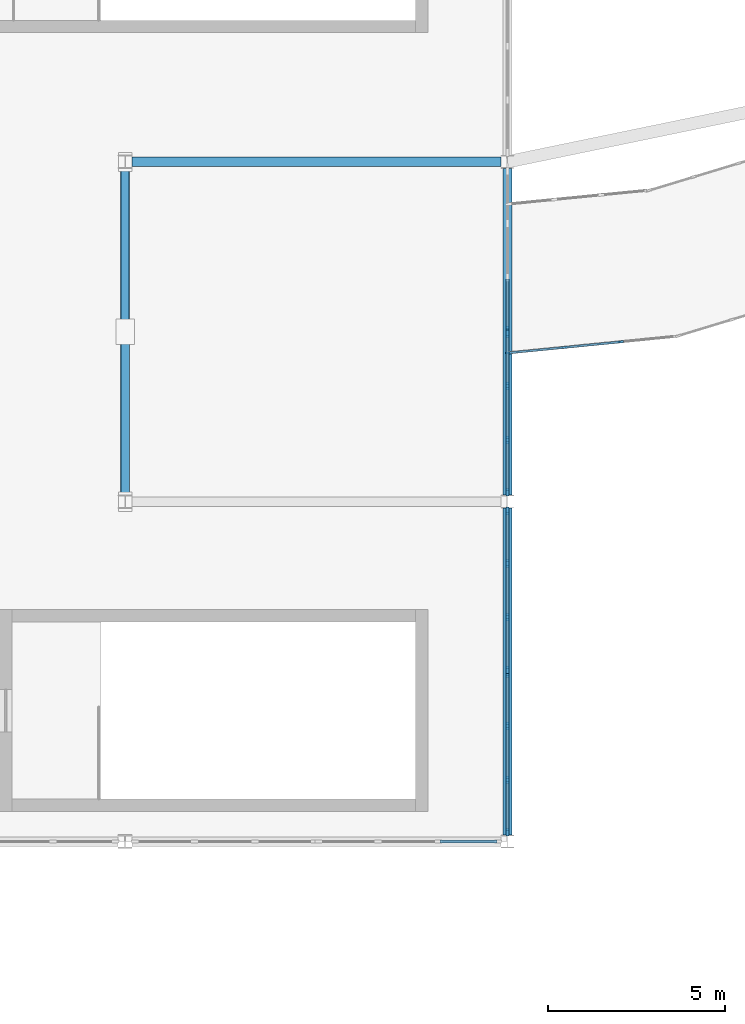
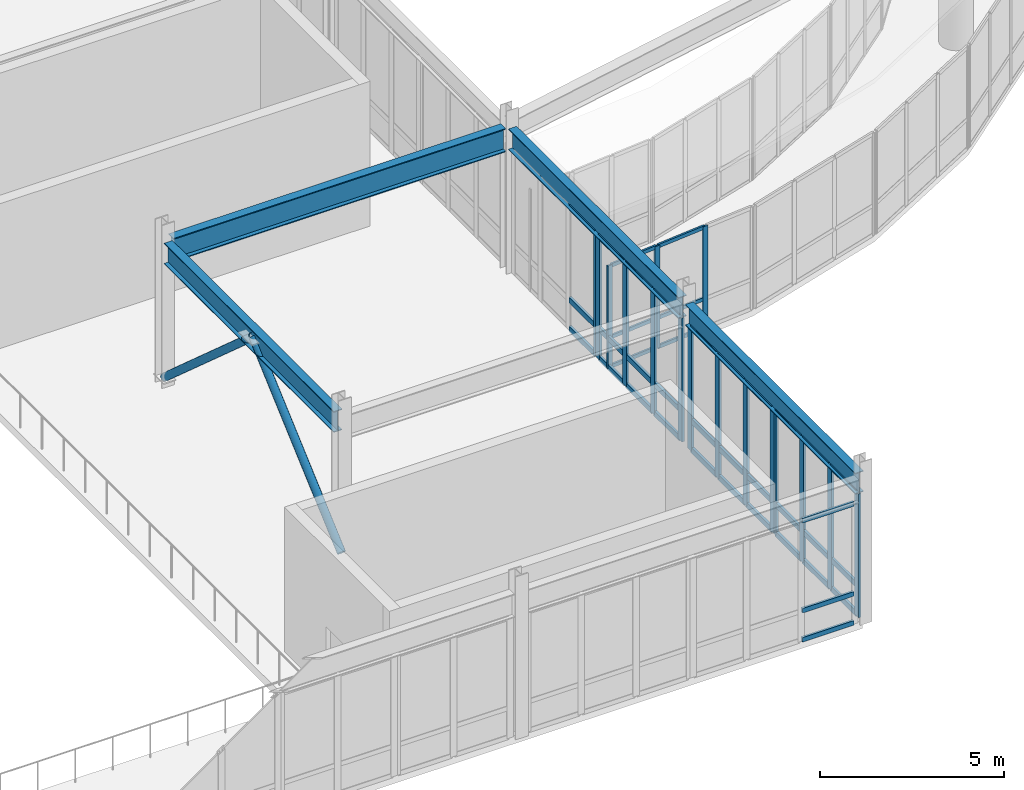
# One storey, part 16 of 68: 57 members, 4 beams, 6 elements without a shape of their own.
"""IFC4 building model written with IfcOpenShell, lengths in metres."""

import ifcopenshell
import ifcopenshell.guid

model = None  # the IFC model being written
_history = None  # IfcOwnerHistory: only IFC2X3 demands one
_inside = {}  # id of a spatial element -> (the spatial element, [elements in it])
_under = {}  # id of a project, library or spatial element -> (it, [spatial elements below it])
_declared = {}  # id of a project -> (the project, [libraries it declares])
_typed = {}  # id of a type object -> (the type object, [elements of that type])
_made_of = {}  # id of a material, layer set ... -> (it, [elements and type objects made of it])


def new_model(schema):
    """Start an empty IFC model of exactly this schema.

    Asked for "IFC4X3", IfcOpenShell would pick the latest addendum, in which some entities
    have other attributes; the version numbers below select the first issue.
    IFC2X3 requires an IfcOwnerHistory on every rooted entity: one is made here for all.
    """
    global model, _history
    if schema == "IFC4X3":
        model = ifcopenshell.file(schema_version=(4, 3, 0, 0))
    else:
        model = ifcopenshell.file(schema=schema)
    _inside.clear()
    _under.clear()
    _declared.clear()
    _typed.clear()
    _made_of.clear()
    _history = None
    if model.schema == "IFC2X3":
        org = make("IfcOrganization", Name="unknown")
        user = make(
            "IfcPersonAndOrganization",
            ThePerson=make("IfcPerson", FamilyName="unknown"),
            TheOrganization=org,
        )
        app = make(
            "IfcApplication",
            ApplicationDeveloper=org,
            Version="unknown",
            ApplicationFullName="unknown",
            ApplicationIdentifier="unknown",
        )
        _history = make(
            "IfcOwnerHistory",
            OwningUser=user,
            OwningApplication=app,
            ChangeAction="ADDED",
            CreationDate=0,
        )
    return model


def make(cls, **values):
    """One entity of the class cls with the attributes given. An attribute that is None is left unset."""
    return model.create_entity(
        cls, **{name: value for name, value in values.items() if value is not None}
    )


def rooted(cls, **values):
    """An entity with a GlobalId (a new one), such as an element, a storey or a relation."""
    return make(cls, GlobalId=ifcopenshell.guid.new(), OwnerHistory=_history, **values)


def si_unit(unit_type, name, prefix=None):
    """IfcSIUnit, for example si_unit("LENGTHUNIT", "METRE", prefix="MILLI")."""
    return make("IfcSIUnit", UnitType=unit_type, Prefix=prefix, Name=name)


def assignment(units):
    """IfcUnitAssignment: the units of a project."""
    return None if units is None else make("IfcUnitAssignment", Units=units)


def point(xyz):
    """IfcCartesianPoint."""
    return None if xyz is None else make("IfcCartesianPoint", Coordinates=xyz)


def direction(xyz):
    """IfcDirection."""
    return None if xyz is None else make("IfcDirection", DirectionRatios=xyz)


def frame(location, z_axis=None, x_axis=None):
    """IfcAxis2Placement3D, a coordinate frame: its origin and axes. An axis left out is left unset."""
    return make(
        "IfcAxis2Placement3D",
        Location=point(location),
        Axis=direction(z_axis),
        RefDirection=direction(x_axis),
    )


def frame_2d(location, x_axis=None):
    """IfcAxis2Placement2D, a coordinate frame in the plane: its origin and x axis."""
    return make(
        "IfcAxis2Placement2D", Location=point(location), RefDirection=direction(x_axis)
    )


def origin():
    """The frame at (0, 0, 0) with its axes left unset."""
    return frame((0.0, 0.0, 0.0))


def origin_2d():
    """The frame at (0, 0) in the plane with its x axis left unset."""
    return frame_2d((0.0, 0.0))


def place(relative_to, where):
    """IfcLocalPlacement: puts the frame where relative to a parent placement (None: the world)."""
    return make(
        "IfcLocalPlacement", PlacementRelTo=relative_to, RelativePlacement=where
    )


def context(
    kind, dimensions, precision=None, world=None, true_north=None, identifier=None
):
    """IfcGeometricRepresentationContext, for example the 3D "Model" context."""
    return make(
        "IfcGeometricRepresentationContext",
        ContextIdentifier=identifier,
        ContextType=kind,
        CoordinateSpaceDimension=dimensions,
        Precision=precision,
        WorldCoordinateSystem=world,
        TrueNorth=true_north,
    )


def subcontext(parent, identifier, kind, view, scale=None):
    """IfcGeometricRepresentationSubContext, for example "Body" below "Model"."""
    return make(
        "IfcGeometricRepresentationSubContext",
        ContextIdentifier=identifier,
        ContextType=kind,
        ParentContext=parent,
        TargetScale=scale,
        TargetView=view,
    )


def project(units=None, contexts=None):
    """IfcProject with its units and contexts."""
    return rooted(
        "IfcProject",
        Name="project",
        RepresentationContexts=contexts,
        UnitsInContext=assignment(units),
    )


def spatial(cls, under=None, at=None, **own):
    """A site, building, storey or space (cls), placed at a placement, below another one or the project."""
    s = rooted(cls, ObjectPlacement=at, **own)
    if under is not None:
        _under.setdefault(under.id(), (under, []))[1].append(s)
    return s


def profile(cls, at=None, kind="AREA", **sizes):
    """A parametric profile (cls). Its sizes go by their IFC names, for example OverallWidth=200.0."""
    return make(cls, ProfileType=kind, Position=at, **sizes)


def rectangle(**sizes):
    """IfcRectangleProfileDef."""
    return profile("IfcRectangleProfileDef", **sizes)


def hollow_circle(**sizes):
    """IfcCircleHollowProfileDef."""
    return profile("IfcCircleHollowProfileDef", **sizes)


def i_section(**sizes):
    """IfcIShapeProfileDef."""
    return profile("IfcIShapeProfileDef", **sizes)


def extrude(swept, where, along, depth):
    """IfcExtrudedAreaSolid: the profile swept, set in the frame where, extruded along a direction by depth."""
    return make(
        "IfcExtrudedAreaSolid",
        SweptArea=swept,
        Position=where,
        ExtrudedDirection=direction(along),
        Depth=depth,
    )


def shape(context_of_items, identifier, shape_type, items):
    """IfcShapeRepresentation: the items that make up one representation, for example the "Body"."""
    return make(
        "IfcShapeRepresentation",
        ContextOfItems=context_of_items,
        RepresentationIdentifier=identifier,
        RepresentationType=shape_type,
        Items=items,
    )


def material(Name=None, Category=None):
    """IfcMaterial."""
    return make("IfcMaterial", Name=Name, Category=Category)


def material_profile(
    of_material, cross_section, Name=None, Category=None, Priority=None
):
    """IfcMaterialProfile: a cross section and its material."""
    return make(
        "IfcMaterialProfile",
        Name=Name,
        Material=of_material,
        Profile=cross_section,
        Priority=Priority,
        Category=Category,
    )


def profile_set(profiles, Name=None, composite=None):
    """IfcMaterialProfileSet."""
    return make(
        "IfcMaterialProfileSet",
        Name=Name,
        MaterialProfiles=profiles,
        CompositeProfile=composite,
    )


def made_of(thing, what):
    """Note that an element or type object is made of a material, layer set ...; save() writes the relation."""
    if what is not None:
        _made_of.setdefault(what.id(), (what, []))[1].append(thing)
    return thing


def type_object(cls, material=None, **own):
    """A type object (cls), such as IfcWallType, which elements share."""
    return made_of(rooted(cls, **own), material)


def element(
    cls,
    number,
    at=None,
    inside=None,
    cuts=None,
    type_object=None,
    material=None,
    context=None,
    identifier="Body",
    shape_type=None,
    held_by="IfcProductDefinitionShape",
    body=None,
    shapes=None,
    **own,
):
    """One element of the class cls, such as IfcWall. Its Tag is "e" and its number.

    at: its placement. inside: the storey or other place that contains it. cuts: it is an
    opening in that element (IfcRelVoidsElement). A single representation is given by context,
    identifier, shape_type and body (its items); several are given by shapes. held_by: the class
    of the entity that holds the representations. save() writes the other relations.
    """
    e = rooted(cls, Tag="e%d" % number, ObjectPlacement=at, **own)
    if body is not None:
        shapes = [shape(context, identifier, shape_type, body)]
    if shapes is not None:
        e.Representation = make(held_by, Representations=shapes)
    if inside is not None:
        _inside.setdefault(inside.id(), (inside, []))[1].append(e)
    if cuts is not None:
        rooted(
            "IfcRelVoidsElement", RelatingBuildingElement=cuts, RelatedOpeningElement=e
        )
    if type_object is not None:
        _typed.setdefault(type_object.id(), (type_object, []))[1].append(e)
    return made_of(e, material)


def aggregate(whole, parts):
    """IfcRelAggregates: a whole, such as a stair, and the parts it consists of."""
    return rooted("IfcRelAggregates", RelatingObject=whole, RelatedObjects=parts)


def save(model, path):
    """Write the relations noted so far, then the file.

    IfcRelAggregates (storeys below a building ...), IfcRelContainedInSpatialStructure (elements
    in a storey), IfcRelDefinesByType, IfcRelAssociatesMaterial and IfcRelDeclares: one each for
    every whole, place, type object, material and project.
    """
    for whole, parts in _under.values():
        aggregate(whole, parts)
    for where, things in _inside.values():
        rooted(
            "IfcRelContainedInSpatialStructure",
            RelatedElements=things,
            RelatingStructure=where,
        )
    for kind, things in _typed.values():
        rooted("IfcRelDefinesByType", RelatedObjects=things, RelatingType=kind)
    for what, things in _made_of.values():
        rooted("IfcRelAssociatesMaterial", RelatedObjects=things, RelatingMaterial=what)
    for by, libraries in _declared.values():
        rooted("IfcRelDeclares", RelatingContext=by, RelatedDefinitions=libraries)
    model.write(path)


model = new_model("IFC4")

# Units and contexts
model_context = context("Model", 3, precision=1e-05, world=origin(), true_north=direction((0.0, 1.0)))
body_context = subcontext(model_context, "Body", "Model", "MODEL_VIEW")
ifc_project = project(units=[si_unit("LENGTHUNIT", "METRE"), si_unit("AREAUNIT", "SQUARE_METRE"), si_unit("VOLUMEUNIT", "CUBIC_METRE"), si_unit("PLANEANGLEUNIT", "RADIAN"), si_unit("MASSUNIT", "GRAM", prefix="KILO")], contexts=[model_context])

# Site, building, storey
site_placement = place(None, origin())
site = spatial("IfcSite", under=ifc_project, at=site_placement, CompositionType="ELEMENT")
building_placement = place(site_placement, origin())
building = spatial("IfcBuilding", under=site, at=building_placement, Name="Veldera Park Congress Hotel", CompositionType="ELEMENT")
storey_placement = place(building_placement, frame((0.0, 0.0, 10.800048828125)))
storey = spatial("IfcBuildingStorey", under=building, at=storey_placement, Name="L02", CompositionType="ELEMENT", Elevation=10.800048828125)

# Beams
ifc_material_1 = material(Name="Steel ASTM A992 Gr.50", Category="steel")
ifc_material_profile_1 = material_profile(ifc_material_1, i_section(OverallWidth=0.256103515625, OverallDepth=0.693115234375, WebThickness=0.014404296875, FlangeThickness=0.023681640625, at=origin_2d()), Name="W27X114")
ifc_profile_set_1 = profile_set([ifc_material_profile_1], Name="Steel ASTM A992 Gr.50")
beam_type_1 = type_object("IfcBeamType", Name="BM-W27", PredefinedType="BEAM", material=ifc_profile_set_1)
beam_1_placement = place(storey_placement, frame((-12.39990234375, -11.20654296875, 4.453369140625), z_axis=(0.0, 1.0, 0.0), x_axis=(-1.0, 0.0, 0.0)))
element("IfcBeam", 1, at=beam_1_placement, inside=storey, type_object=beam_type_1, Name="L02 Girder BM-W27 960", PredefinedType="BEAM", context=body_context, shape_type="SweptSolid", body=[
    extrude(i_section(OverallWidth=0.256103515625, OverallDepth=0.693115234375, WebThickness=0.014404296875, FlangeThickness=0.023681640625, at=origin_2d()), origin(), (0.0, 0.0, 1.0), 9.213134765625),
])
beam_2_placement = place(storey_placement, frame((-1.60009765625, -20.81591796875, 4.453369140625), z_axis=(0.0, 1.0, 0.0), x_axis=(-1.0, 0.0, 0.0)))
element("IfcBeam", 2, at=beam_2_placement, inside=storey, type_object=beam_type_1, Name="L02 Girder BM-W27 966", PredefinedType="BEAM", context=body_context, shape_type="SweptSolid", body=[
    extrude(i_section(OverallWidth=0.256103515625, OverallDepth=0.693115234375, WebThickness=0.014404296875, FlangeThickness=0.023681640625, at=origin_2d()), origin(), (0.0, 0.0, 1.0), 9.23193359375),
])
beam_3_placement = place(storey_placement, frame((-1.60009765625, -11.216064453125, 4.453369140625), z_axis=(0.0, 1.0, 0.0), x_axis=(-1.0, 0.0, 0.0)))
element("IfcBeam", 3, at=beam_3_placement, inside=storey, type_object=beam_type_1, Name="L02 Girder BM-W27 967", PredefinedType="BEAM", context=body_context, shape_type="SweptSolid", body=[
    extrude(i_section(OverallWidth=0.256103515625, OverallDepth=0.693115234375, WebThickness=0.014404296875, FlangeThickness=0.023681640625, at=origin_2d()), origin(), (0.0, 0.0, 1.0), 9.232177734375),
])
ifc_material_profile_2 = material_profile(ifc_material_1, i_section(OverallWidth=0.26708984375, OverallDepth=0.779052734375, WebThickness=0.0166015625, FlangeThickness=0.030029296875, at=origin_2d()), Name="W30X148")
ifc_profile_set_2 = profile_set([ifc_material_profile_2], Name="Steel ASTM A992 Gr.50")
beam_type_2 = type_object("IfcBeamType", Name="BM-W30", PredefinedType="BEAM", material=ifc_profile_set_2)
beam_4_placement = place(storey_placement, frame((-12.201416015625, -1.800048828125, 4.410400390625), z_axis=(1.0, 0.0, 0.0), x_axis=(0.0, 1.0, 0.0)))
element("IfcBeam", 4, at=beam_4_placement, inside=storey, type_object=beam_type_2, Name="L02 Girder BM-W30 855", PredefinedType="BEAM", context=body_context, shape_type="SweptSolid", body=[
    extrude(i_section(OverallWidth=0.26708984375, OverallDepth=0.779052734375, WebThickness=0.0166015625, FlangeThickness=0.030029296875, at=origin_2d()), origin(), (0.0, 0.0, 1.0), 10.414794921875),
])

# Members
ifc_material_2 = material(Name="Steel ASTM A500 Gr.C", Category="steel")
ifc_material_profile_3 = material_profile(ifc_material_2, hollow_circle(Radius=0.122314453125, WallThickness=0.012451171875, at=origin_2d()), Name="CHS 244.5x12.5")
ifc_profile_set_3 = profile_set([ifc_material_profile_3], Name="Steel ASTM A500 Gr.C")
member_type_1 = type_object("IfcMemberType", Name="BRC-CHS244", PredefinedType="BRACE", material=ifc_profile_set_3)
for number, where, z_axis, x_axis, name in (
    (5, (-12.39990234375, -11.39990234375, 0.199951171875), (0.0, 0.748420802532, 0.66322417201), (-1.0, 0.0, 0.0), "L02 Chevron Brace 14A"),
    (6, (-12.39990234375, -1.800048828125, 0.199951171875), (0.0, -0.748437546734, 0.663205276395), (1.0, 0.0, 0.0), "L02 Chevron Brace 14B"),
):
    element("IfcMember", number, at=place(storey_placement, frame(where, z_axis=z_axis, x_axis=x_axis)), inside=storey, type_object=member_type_1, Name=name, PredefinedType="BRACE", context=body_context, shape_type="SweptSolid", body=[
        extrude(hollow_circle(Radius=0.122314453125, WallThickness=0.012451171875, at=origin_2d()), origin(), (0.0, 0.0, 1.0), 6.413330078125),
    ])

# Curtain wall, members
ifc_material_3 = material(Name="Low-E Triple Insulating Glass Unit (SHGC 0.22)", Category="glass")
curtain_wall_type_1 = type_object("IfcCurtainWallType", Name="CW-BRG", PredefinedType="NOTDEFINED", material=ifc_material_3)
curtain_wall_1_placement = place(storey_placement, origin())
curtain_wall_1 = element("IfcCurtainWall", 7, at=curtain_wall_1_placement, inside=storey, type_object=curtain_wall_type_1, Name="L02 Curtain Wall CW3-BRGW-L02-A00", PredefinedType="NOTDEFINED")
ifc_material_4 = material(Name="Anodised Aluminium Alloy 6063-T6", Category="aluminium")
ifc_material_profile_4 = material_profile(ifc_material_4, rectangle(XDim=0.06005859375, YDim=0.159912109375, at=origin_2d()), Name="ALU 60x160")
ifc_profile_set_4 = profile_set([ifc_material_profile_4], Name="Anodised Aluminium Alloy 6063-T6")
member_type_2 = type_object("IfcMemberType", Name="CWM-160", PredefinedType="MULLION", material=ifc_profile_set_4)
member_1_placement = place(storey_placement, frame((-1.570068359375, -7.197021484375, 0.0), z_axis=(0.0, 0.0, 1.0), x_axis=(-0.098021259481, 0.995184320963, 0.0)))
member_1 = element("IfcMember", 8, at=member_1_placement, type_object=member_type_2, Name="CW-BRG mullion 1", PredefinedType="MULLION", context=body_context, shape_type="SweptSolid", body=[
    extrude(rectangle(XDim=0.06005859375, YDim=0.159912109375, at=origin_2d()), origin(), (0.0, 0.0, 1.0), 3.39990234375),
])
member_2_placement = place(storey_placement, frame((-0.000244140625, -7.04248046875, 0.0), z_axis=(0.0, 0.0, 1.0), x_axis=(-0.098021259481, 0.995184320963, 0.0)))
member_2 = element("IfcMember", 9, at=member_2_placement, type_object=member_type_2, Name="CW-BRG mullion 2", PredefinedType="MULLION", context=body_context, shape_type="SweptSolid", body=[
    extrude(rectangle(XDim=0.06005859375, YDim=0.159912109375, at=origin_2d()), origin(), (0.0, 0.0, 1.0), 3.39990234375),
])
member_3_placement = place(storey_placement, frame((1.599365234375, -6.884765625, 0.0), z_axis=(0.0, 0.0, 1.0), x_axis=(-0.098021259481, 0.995184320963, 0.0)))
member_3 = element("IfcMember", 10, at=member_3_placement, type_object=member_type_2, Name="CW-BRG mullion 3", PredefinedType="MULLION", context=body_context, shape_type="SweptSolid", body=[
    extrude(rectangle(XDim=0.06005859375, YDim=0.159912109375, at=origin_2d()), origin(), (0.0, 0.0, 1.0), 3.39990234375),
])

curtain_wall_type_2 = type_object("IfcCurtainWallType", Name="CW-POD", PredefinedType="NOTDEFINED", material=ifc_material_3)
curtain_wall_2_placement = place(storey_placement, origin())
curtain_wall_2 = element("IfcCurtainWall", 11, at=curtain_wall_2_placement, inside=storey, type_object=curtain_wall_type_2, Name="L02 Curtain Wall CW3-V1E-L02-065", PredefinedType="NOTDEFINED")
ifc_material_profile_5 = material_profile(ifc_material_4, rectangle(XDim=0.080078125, YDim=0.219970703125, at=origin_2d()), Name="ALU 80x220")
ifc_profile_set_5 = profile_set([ifc_material_profile_5], Name="Anodised Aluminium Alloy 6063-T6")
member_type_3 = type_object("IfcMemberType", Name="CWM-220", PredefinedType="MULLION", material=ifc_profile_set_5)
member_4_placement = place(storey_placement, frame((-1.60009765625, -20.736083984375, 0.0), z_axis=(0.0, 0.0, 1.0), x_axis=(-1.0, 0.0, 0.0)))
member_4 = element("IfcMember", 12, at=member_4_placement, type_object=member_type_3, Name="CW-POD mullion 1", PredefinedType="MULLION", context=body_context, shape_type="SweptSolid", body=[
    extrude(rectangle(XDim=0.080078125, YDim=0.219970703125, at=origin_2d()), origin(), (0.0, 0.0, 1.0), 4.10205078125),
])
member_5_placement = place(storey_placement, frame((-1.60009765625, -19.255615234375, 0.0), z_axis=(0.0, 0.0, 1.0), x_axis=(-1.0, 0.0, 0.0)))
member_5 = element("IfcMember", 13, at=member_5_placement, type_object=member_type_3, Name="CW-POD mullion 2", PredefinedType="MULLION", context=body_context, shape_type="SweptSolid", body=[
    extrude(rectangle(XDim=0.080078125, YDim=0.219970703125, at=origin_2d()), origin(), (0.0, 0.0, 1.0), 4.10205078125),
])
member_6_placement = place(storey_placement, frame((-1.60009765625, -17.7353515625, 0.0), z_axis=(0.0, 0.0, 1.0), x_axis=(-1.0, 0.0, 0.0)))
member_6 = element("IfcMember", 14, at=member_6_placement, type_object=member_type_3, Name="CW-POD mullion 3", PredefinedType="MULLION", context=body_context, shape_type="SweptSolid", body=[
    extrude(rectangle(XDim=0.080078125, YDim=0.219970703125, at=origin_2d()), origin(), (0.0, 0.0, 1.0), 4.10205078125),
])
member_7_placement = place(storey_placement, frame((-1.60009765625, -16.2548828125, 0.0), z_axis=(0.0, 0.0, 1.0), x_axis=(-1.0, 0.0, 0.0)))
member_7 = element("IfcMember", 15, at=member_7_placement, type_object=member_type_3, Name="CW-POD mullion 4", PredefinedType="MULLION", context=body_context, shape_type="SweptSolid", body=[
    extrude(rectangle(XDim=0.080078125, YDim=0.219970703125, at=origin_2d()), origin(), (0.0, 0.0, 1.0), 4.10205078125),
])

curtain_wall_3_placement = place(storey_placement, origin())
curtain_wall_3 = element("IfcCurtainWall", 16, at=curtain_wall_3_placement, inside=storey, type_object=curtain_wall_type_2, Name="L02 Curtain Wall CW3-V1E-L02-066", PredefinedType="NOTDEFINED")
member_8_placement = place(storey_placement, frame((-1.60009765625, -16.14501953125, 0.0), z_axis=(0.0, 0.0, 1.0), x_axis=(-1.0, 0.0, 0.0)))
member_8 = element("IfcMember", 17, at=member_8_placement, type_object=member_type_3, Name="CW-POD mullion 1", PredefinedType="MULLION", context=body_context, shape_type="SweptSolid", body=[
    extrude(rectangle(XDim=0.080078125, YDim=0.219970703125, at=origin_2d()), origin(), (0.0, 0.0, 1.0), 4.10205078125),
])
member_9_placement = place(storey_placement, frame((-1.60009765625, -14.66455078125, 0.0), z_axis=(0.0, 0.0, 1.0), x_axis=(-1.0, 0.0, 0.0)))
member_9 = element("IfcMember", 18, at=member_9_placement, type_object=member_type_3, Name="CW-POD mullion 2", PredefinedType="MULLION", context=body_context, shape_type="SweptSolid", body=[
    extrude(rectangle(XDim=0.080078125, YDim=0.219970703125, at=origin_2d()), origin(), (0.0, 0.0, 1.0), 4.10205078125),
])
member_10_placement = place(storey_placement, frame((-1.60009765625, -13.144287109375, 0.0), z_axis=(0.0, 0.0, 1.0), x_axis=(-1.0, 0.0, 0.0)))
member_10 = element("IfcMember", 19, at=member_10_placement, type_object=member_type_3, Name="CW-POD mullion 3", PredefinedType="MULLION", context=body_context, shape_type="SweptSolid", body=[
    extrude(rectangle(XDim=0.080078125, YDim=0.219970703125, at=origin_2d()), origin(), (0.0, 0.0, 1.0), 4.10205078125),
])
member_11_placement = place(storey_placement, frame((-1.60009765625, -11.6640625, 0.0), z_axis=(0.0, 0.0, 1.0), x_axis=(-1.0, 0.0, 0.0)))
member_11 = element("IfcMember", 20, at=member_11_placement, type_object=member_type_3, Name="CW-POD mullion 4", PredefinedType="MULLION", context=body_context, shape_type="SweptSolid", body=[
    extrude(rectangle(XDim=0.080078125, YDim=0.219970703125, at=origin_2d()), origin(), (0.0, 0.0, 1.0), 4.10205078125),
])

curtain_wall_4_placement = place(storey_placement, origin())
curtain_wall_4 = element("IfcCurtainWall", 21, at=curtain_wall_4_placement, inside=storey, type_object=curtain_wall_type_2, Name="L02 Curtain Wall CW3-V1E-L02-067", PredefinedType="NOTDEFINED")
member_12_placement = place(storey_placement, frame((-1.60009765625, -11.135986328125, 0.0), z_axis=(0.0, 0.0, 1.0), x_axis=(-1.0, 0.0, 0.0)))
member_12 = element("IfcMember", 22, at=member_12_placement, type_object=member_type_3, Name="CW-POD mullion 1", PredefinedType="MULLION", context=body_context, shape_type="SweptSolid", body=[
    extrude(rectangle(XDim=0.080078125, YDim=0.219970703125, at=origin_2d()), origin(), (0.0, 0.0, 1.0), 4.10205078125),
])
member_13_placement = place(storey_placement, frame((-1.60009765625, -9.65576171875, 0.0), z_axis=(0.0, 0.0, 1.0), x_axis=(-1.0, 0.0, 0.0)))
member_13 = element("IfcMember", 23, at=member_13_placement, type_object=member_type_3, Name="CW-POD mullion 2", PredefinedType="MULLION", context=body_context, shape_type="SweptSolid", body=[
    extrude(rectangle(XDim=0.080078125, YDim=0.219970703125, at=origin_2d()), origin(), (0.0, 0.0, 1.0), 4.10205078125),
])
member_14_placement = place(storey_placement, frame((-1.60009765625, -8.13525390625, 0.0), z_axis=(0.0, 0.0, 1.0), x_axis=(-1.0, 0.0, 0.0)))
member_14 = element("IfcMember", 24, at=member_14_placement, type_object=member_type_3, Name="CW-POD mullion 3", PredefinedType="MULLION", context=body_context, shape_type="SweptSolid", body=[
    extrude(rectangle(XDim=0.080078125, YDim=0.219970703125, at=origin_2d()), origin(), (0.0, 0.0, 1.0), 4.10205078125),
])
member_15_placement = place(storey_placement, frame((-1.60009765625, -6.655029296875, 0.0), z_axis=(0.0, 0.0, 1.0), x_axis=(-1.0, 0.0, 0.0)))
member_15 = element("IfcMember", 25, at=member_15_placement, type_object=member_type_3, Name="CW-POD mullion 4", PredefinedType="MULLION", context=body_context, shape_type="SweptSolid", body=[
    extrude(rectangle(XDim=0.080078125, YDim=0.219970703125, at=origin_2d()), origin(), (0.0, 0.0, 1.0), 4.10205078125),
])

# Curtain wall, member
curtain_wall_5_placement = place(storey_placement, origin())
curtain_wall_5 = element("IfcCurtainWall", 26, at=curtain_wall_5_placement, inside=storey, type_object=curtain_wall_type_2, Name="L02 Curtain Wall CW3-V1E-L02-068", PredefinedType="NOTDEFINED")
member_16_placement = place(storey_placement, frame((-1.60009765625, -6.544921875, 0.0), z_axis=(0.0, 0.0, 1.0), x_axis=(-1.0, 0.0, 0.0)))
member_16 = element("IfcMember", 27, at=member_16_placement, type_object=member_type_3, Name="CW-POD mullion 1", PredefinedType="MULLION", context=body_context, shape_type="SweptSolid", body=[
    extrude(rectangle(XDim=0.080078125, YDim=0.219970703125, at=origin_2d()), origin(), (0.0, 0.0, 1.0), 4.10205078125),
])

# Member
ifc_material_profile_6 = material_profile(ifc_material_4, rectangle(XDim=0.06005859375, YDim=0.1201171875, at=origin_2d()), Name="ALU 60x120")
ifc_profile_set_6 = profile_set([ifc_material_profile_6], Name="Anodised Aluminium Alloy 6063-T6")
member_type_4 = type_object("IfcMemberType", Name="CWT-120", PredefinedType="USERDEFINED", material=ifc_profile_set_6)
member_17_placement = place(storey_placement, frame((-1.540283203125, -7.194091796875, 0.030029296875), z_axis=(0.99518892863, 0.097974467756, 0.0), x_axis=(-0.097974467756, 0.99518892863, 0.0)))
member_17 = element("IfcMember", 28, at=member_17_placement, type_object=member_type_4, Name="CW-BRG transom 1.1", ObjectType="TRANSOM", PredefinedType="USERDEFINED", context=body_context, shape_type="SweptSolid", body=[
    extrude(rectangle(XDim=0.06005859375, YDim=0.1201171875, at=origin_2d()), origin(), (0.0, 0.0, 1.0), 1.517578125),
])

member_18_placement = place(storey_placement, frame((-1.540283203125, -7.194091796875, 1.0), z_axis=(0.99518892863, 0.097974467756, 0.0), x_axis=(-0.097974467756, 0.99518892863, 0.0)))
member_18 = element("IfcMember", 29, at=member_18_placement, type_object=member_type_4, Name="CW-BRG transom 1.2", ObjectType="TRANSOM", PredefinedType="USERDEFINED", context=body_context, shape_type="SweptSolid", body=[
    extrude(rectangle(XDim=0.06005859375, YDim=0.1201171875, at=origin_2d()), origin(), (0.0, 0.0, 1.0), 1.517578125),
])

member_19_placement = place(storey_placement, frame((-1.540283203125, -7.194091796875, 3.369873046875), z_axis=(0.99518892863, 0.097974467756, 0.0), x_axis=(-0.097974467756, 0.99518892863, 0.0)))
member_19 = element("IfcMember", 30, at=member_19_placement, type_object=member_type_4, Name="CW-BRG transom 1.3", ObjectType="TRANSOM", PredefinedType="USERDEFINED", context=body_context, shape_type="SweptSolid", body=[
    extrude(rectangle(XDim=0.06005859375, YDim=0.1201171875, at=origin_2d()), origin(), (0.0, 0.0, 1.0), 1.517578125),
])

member_20_placement = place(storey_placement, frame((0.029541015625, -7.03955078125, 0.030029296875), z_axis=(0.995173698289, 0.09812904888, 0.0), x_axis=(-0.09812904888, 0.995173698289, 0.0)))
member_20 = element("IfcMember", 31, at=member_20_placement, type_object=member_type_4, Name="CW-BRG transom 2.1", ObjectType="TRANSOM", PredefinedType="USERDEFINED", context=body_context, shape_type="SweptSolid", body=[
    extrude(rectangle(XDim=0.06005859375, YDim=0.1201171875, at=origin_2d()), origin(), (0.0, 0.0, 1.0), 1.547607421875),
])

member_21_placement = place(storey_placement, frame((0.029541015625, -7.03955078125, 1.0), z_axis=(0.995173698289, 0.09812904888, 0.0), x_axis=(-0.09812904888, 0.995173698289, 0.0)))
member_21 = element("IfcMember", 32, at=member_21_placement, type_object=member_type_4, Name="CW-BRG transom 2.2", ObjectType="TRANSOM", PredefinedType="USERDEFINED", context=body_context, shape_type="SweptSolid", body=[
    extrude(rectangle(XDim=0.06005859375, YDim=0.1201171875, at=origin_2d()), origin(), (0.0, 0.0, 1.0), 1.547607421875),
])

member_22_placement = place(storey_placement, frame((0.029541015625, -7.03955078125, 3.369873046875), z_axis=(0.995173698289, 0.09812904888, 0.0), x_axis=(-0.09812904888, 0.995173698289, 0.0)))
member_22 = element("IfcMember", 33, at=member_22_placement, type_object=member_type_4, Name="CW-BRG transom 2.3", ObjectType="TRANSOM", PredefinedType="USERDEFINED", context=body_context, shape_type="SweptSolid", body=[
    extrude(rectangle(XDim=0.06005859375, YDim=0.1201171875, at=origin_2d()), origin(), (0.0, 0.0, 1.0), 1.547607421875),
])

aggregate(curtain_wall_1, [member_1, member_2, member_3, member_17, member_18, member_19, member_20, member_21, member_22])

# Curtain wall, members
curtain_wall_type_3 = type_object("IfcCurtainWallType", Name="CW-CNG", PredefinedType="NOTDEFINED", material=ifc_material_3)
curtain_wall_6_placement = place(storey_placement, origin())
curtain_wall_6 = element("IfcCurtainWall", 34, at=curtain_wall_6_placement, inside=storey, type_object=curtain_wall_type_3, Name="L02 Curtain Wall CW3-V1S-L02-064", PredefinedType="NOTDEFINED")
ifc_material_profile_7 = material_profile(ifc_material_4, rectangle(XDim=0.074951171875, YDim=0.14990234375, at=origin_2d()), Name="ALU 75x150")
ifc_profile_set_7 = profile_set([ifc_material_profile_7], Name="Anodised Aluminium Alloy 6063-T6")
member_type_5 = type_object("IfcMemberType", Name="CWT-150", PredefinedType="USERDEFINED", material=ifc_profile_set_7)
member_23_placement = place(storey_placement, frame((-3.50634765625, -21.0, 0.037353515625), z_axis=(1.0, 0.0, 0.0), x_axis=(0.0, 1.0, 0.0)))
member_23 = element("IfcMember", 35, at=member_23_placement, type_object=member_type_5, Name="CW-CNG transom 3.1", ObjectType="TRANSOM", PredefinedType="USERDEFINED", context=body_context, shape_type="SweptSolid", body=[
    extrude(rectangle(XDim=0.074951171875, YDim=0.14990234375, at=origin_2d()), origin(), (0.0, 0.0, 1.0), 1.604736328125),
])
member_24_placement = place(storey_placement, frame((-3.50634765625, -21.0, 1.0), z_axis=(1.0, 0.0, 0.0), x_axis=(0.0, 1.0, 0.0)))
member_24 = element("IfcMember", 36, at=member_24_placement, type_object=member_type_5, Name="CW-CNG transom 3.2", ObjectType="TRANSOM", PredefinedType="USERDEFINED", context=body_context, shape_type="SweptSolid", body=[
    extrude(rectangle(XDim=0.074951171875, YDim=0.14990234375, at=origin_2d()), origin(), (0.0, 0.0, 1.0), 1.604736328125),
])
member_25_placement = place(storey_placement, frame((-3.50634765625, -21.0, 3.978515625), z_axis=(1.0, 0.0, 0.0), x_axis=(0.0, 1.0, 0.0)))
member_25 = element("IfcMember", 37, at=member_25_placement, type_object=member_type_5, Name="CW-CNG transom 3.3", ObjectType="TRANSOM", PredefinedType="USERDEFINED", context=body_context, shape_type="SweptSolid", body=[
    extrude(rectangle(XDim=0.074951171875, YDim=0.14990234375, at=origin_2d()), origin(), (0.0, 0.0, 1.0), 1.604736328125),
])
aggregate(curtain_wall_6, [member_23, member_24, member_25])

# Member
ifc_material_profile_8 = material_profile(ifc_material_4, rectangle(XDim=0.080078125, YDim=0.179931640625, at=origin_2d()), Name="ALU 80x180")
ifc_profile_set_8 = profile_set([ifc_material_profile_8], Name="Anodised Aluminium Alloy 6063-T6")
member_type_6 = type_object("IfcMemberType", Name="CWT-180", PredefinedType="USERDEFINED", material=ifc_profile_set_8)
member_26_placement = place(storey_placement, frame((-1.60009765625, -20.696044921875, 0.0400390625), z_axis=(0.0, 1.0, 0.0), x_axis=(-1.0, 0.0, 0.0)))
member_26 = element("IfcMember", 38, at=member_26_placement, type_object=member_type_6, Name="CW-POD transom 1.1", ObjectType="TRANSOM", PredefinedType="USERDEFINED", context=body_context, shape_type="SweptSolid", body=[
    extrude(rectangle(XDim=0.080078125, YDim=0.179931640625, at=origin_2d()), origin(), (0.0, 0.0, 1.0), 1.400390625),
])

member_27_placement = place(storey_placement, frame((-1.60009765625, -20.696044921875, 1.0), z_axis=(0.0, 1.0, 0.0), x_axis=(-1.0, 0.0, 0.0)))
member_27 = element("IfcMember", 39, at=member_27_placement, type_object=member_type_6, Name="CW-POD transom 1.2", ObjectType="TRANSOM", PredefinedType="USERDEFINED", context=body_context, shape_type="SweptSolid", body=[
    extrude(rectangle(XDim=0.080078125, YDim=0.179931640625, at=origin_2d()), origin(), (0.0, 0.0, 1.0), 1.400390625),
])

member_28_placement = place(storey_placement, frame((-1.60009765625, -20.696044921875, 4.06201171875), z_axis=(0.0, 1.0, 0.0), x_axis=(-1.0, 0.0, 0.0)))
member_28 = element("IfcMember", 40, at=member_28_placement, type_object=member_type_6, Name="CW-POD transom 1.3", ObjectType="TRANSOM", PredefinedType="USERDEFINED", context=body_context, shape_type="SweptSolid", body=[
    extrude(rectangle(XDim=0.080078125, YDim=0.179931640625, at=origin_2d()), origin(), (0.0, 0.0, 1.0), 1.400390625),
])

member_29_placement = place(storey_placement, frame((-1.60009765625, -19.215576171875, 0.0400390625), z_axis=(0.0, 1.0, 0.0), x_axis=(-1.0, 0.0, 0.0)))
member_29 = element("IfcMember", 41, at=member_29_placement, type_object=member_type_6, Name="CW-POD transom 2.1", ObjectType="TRANSOM", PredefinedType="USERDEFINED", context=body_context, shape_type="SweptSolid", body=[
    extrude(rectangle(XDim=0.080078125, YDim=0.179931640625, at=origin_2d()), origin(), (0.0, 0.0, 1.0), 1.440185546875),
])

member_30_placement = place(storey_placement, frame((-1.60009765625, -19.215576171875, 1.0), z_axis=(0.0, 1.0, 0.0), x_axis=(-1.0, 0.0, 0.0)))
member_30 = element("IfcMember", 42, at=member_30_placement, type_object=member_type_6, Name="CW-POD transom 2.2", ObjectType="TRANSOM", PredefinedType="USERDEFINED", context=body_context, shape_type="SweptSolid", body=[
    extrude(rectangle(XDim=0.080078125, YDim=0.179931640625, at=origin_2d()), origin(), (0.0, 0.0, 1.0), 1.440185546875),
])

member_31_placement = place(storey_placement, frame((-1.60009765625, -19.215576171875, 4.06201171875), z_axis=(0.0, 1.0, 0.0), x_axis=(-1.0, 0.0, 0.0)))
member_31 = element("IfcMember", 43, at=member_31_placement, type_object=member_type_6, Name="CW-POD transom 2.3", ObjectType="TRANSOM", PredefinedType="USERDEFINED", context=body_context, shape_type="SweptSolid", body=[
    extrude(rectangle(XDim=0.080078125, YDim=0.179931640625, at=origin_2d()), origin(), (0.0, 0.0, 1.0), 1.440185546875),
])

member_32_placement = place(storey_placement, frame((-1.60009765625, -17.6953125, 0.0400390625), z_axis=(0.0, 1.0, 0.0), x_axis=(-1.0, 0.0, 0.0)))
member_32 = element("IfcMember", 44, at=member_32_placement, type_object=member_type_6, Name="CW-POD transom 3.1", ObjectType="TRANSOM", PredefinedType="USERDEFINED", context=body_context, shape_type="SweptSolid", body=[
    extrude(rectangle(XDim=0.080078125, YDim=0.179931640625, at=origin_2d()), origin(), (0.0, 0.0, 1.0), 1.400390625),
])

member_33_placement = place(storey_placement, frame((-1.60009765625, -17.6953125, 1.0), z_axis=(0.0, 1.0, 0.0), x_axis=(-1.0, 0.0, 0.0)))
member_33 = element("IfcMember", 45, at=member_33_placement, type_object=member_type_6, Name="CW-POD transom 3.2", ObjectType="TRANSOM", PredefinedType="USERDEFINED", context=body_context, shape_type="SweptSolid", body=[
    extrude(rectangle(XDim=0.080078125, YDim=0.179931640625, at=origin_2d()), origin(), (0.0, 0.0, 1.0), 1.400390625),
])

member_34_placement = place(storey_placement, frame((-1.60009765625, -17.6953125, 4.06201171875), z_axis=(0.0, 1.0, 0.0), x_axis=(-1.0, 0.0, 0.0)))
member_34 = element("IfcMember", 46, at=member_34_placement, type_object=member_type_6, Name="CW-POD transom 3.3", ObjectType="TRANSOM", PredefinedType="USERDEFINED", context=body_context, shape_type="SweptSolid", body=[
    extrude(rectangle(XDim=0.080078125, YDim=0.179931640625, at=origin_2d()), origin(), (0.0, 0.0, 1.0), 1.400390625),
])

aggregate(curtain_wall_2, [member_4, member_5, member_6, member_7, member_26, member_27, member_28, member_29, member_30, member_31, member_32, member_33, member_34])

member_35_placement = place(storey_placement, frame((-1.60009765625, -16.10498046875, 0.0400390625), z_axis=(0.0, 1.0, 0.0), x_axis=(-1.0, 0.0, 0.0)))
member_35 = element("IfcMember", 47, at=member_35_placement, type_object=member_type_6, Name="CW-POD transom 1.1", ObjectType="TRANSOM", PredefinedType="USERDEFINED", context=body_context, shape_type="SweptSolid", body=[
    extrude(rectangle(XDim=0.080078125, YDim=0.179931640625, at=origin_2d()), origin(), (0.0, 0.0, 1.0), 1.400390625),
])

member_36_placement = place(storey_placement, frame((-1.60009765625, -16.10498046875, 1.0), z_axis=(0.0, 1.0, 0.0), x_axis=(-1.0, 0.0, 0.0)))
member_36 = element("IfcMember", 48, at=member_36_placement, type_object=member_type_6, Name="CW-POD transom 1.2", ObjectType="TRANSOM", PredefinedType="USERDEFINED", context=body_context, shape_type="SweptSolid", body=[
    extrude(rectangle(XDim=0.080078125, YDim=0.179931640625, at=origin_2d()), origin(), (0.0, 0.0, 1.0), 1.400390625),
])

member_37_placement = place(storey_placement, frame((-1.60009765625, -16.10498046875, 4.06201171875), z_axis=(0.0, 1.0, 0.0), x_axis=(-1.0, 0.0, 0.0)))
member_37 = element("IfcMember", 49, at=member_37_placement, type_object=member_type_6, Name="CW-POD transom 1.3", ObjectType="TRANSOM", PredefinedType="USERDEFINED", context=body_context, shape_type="SweptSolid", body=[
    extrude(rectangle(XDim=0.080078125, YDim=0.179931640625, at=origin_2d()), origin(), (0.0, 0.0, 1.0), 1.400390625),
])

member_38_placement = place(storey_placement, frame((-1.60009765625, -14.624755859375, 0.0400390625), z_axis=(0.0, 1.0, 0.0), x_axis=(-1.0, 0.0, 0.0)))
member_38 = element("IfcMember", 50, at=member_38_placement, type_object=member_type_6, Name="CW-POD transom 2.1", ObjectType="TRANSOM", PredefinedType="USERDEFINED", context=body_context, shape_type="SweptSolid", body=[
    extrude(rectangle(XDim=0.080078125, YDim=0.179931640625, at=origin_2d()), origin(), (0.0, 0.0, 1.0), 1.4404296875),
])

member_39_placement = place(storey_placement, frame((-1.60009765625, -14.624755859375, 1.0), z_axis=(0.0, 1.0, 0.0), x_axis=(-1.0, 0.0, 0.0)))
member_39 = element("IfcMember", 51, at=member_39_placement, type_object=member_type_6, Name="CW-POD transom 2.2", ObjectType="TRANSOM", PredefinedType="USERDEFINED", context=body_context, shape_type="SweptSolid", body=[
    extrude(rectangle(XDim=0.080078125, YDim=0.179931640625, at=origin_2d()), origin(), (0.0, 0.0, 1.0), 1.4404296875),
])

member_40_placement = place(storey_placement, frame((-1.60009765625, -14.624755859375, 4.06201171875), z_axis=(0.0, 1.0, 0.0), x_axis=(-1.0, 0.0, 0.0)))
member_40 = element("IfcMember", 52, at=member_40_placement, type_object=member_type_6, Name="CW-POD transom 2.3", ObjectType="TRANSOM", PredefinedType="USERDEFINED", context=body_context, shape_type="SweptSolid", body=[
    extrude(rectangle(XDim=0.080078125, YDim=0.179931640625, at=origin_2d()), origin(), (0.0, 0.0, 1.0), 1.4404296875),
])

member_41_placement = place(storey_placement, frame((-1.60009765625, -13.104248046875, 0.0400390625), z_axis=(0.0, 1.0, 0.0), x_axis=(-1.0, 0.0, 0.0)))
member_41 = element("IfcMember", 53, at=member_41_placement, type_object=member_type_6, Name="CW-POD transom 3.1", ObjectType="TRANSOM", PredefinedType="USERDEFINED", context=body_context, shape_type="SweptSolid", body=[
    extrude(rectangle(XDim=0.080078125, YDim=0.179931640625, at=origin_2d()), origin(), (0.0, 0.0, 1.0), 1.400146484375),
])

member_42_placement = place(storey_placement, frame((-1.60009765625, -13.104248046875, 1.0), z_axis=(0.0, 1.0, 0.0), x_axis=(-1.0, 0.0, 0.0)))
member_42 = element("IfcMember", 54, at=member_42_placement, type_object=member_type_6, Name="CW-POD transom 3.2", ObjectType="TRANSOM", PredefinedType="USERDEFINED", context=body_context, shape_type="SweptSolid", body=[
    extrude(rectangle(XDim=0.080078125, YDim=0.179931640625, at=origin_2d()), origin(), (0.0, 0.0, 1.0), 1.400146484375),
])

member_43_placement = place(storey_placement, frame((-1.60009765625, -13.104248046875, 4.06201171875), z_axis=(0.0, 1.0, 0.0), x_axis=(-1.0, 0.0, 0.0)))
member_43 = element("IfcMember", 55, at=member_43_placement, type_object=member_type_6, Name="CW-POD transom 3.3", ObjectType="TRANSOM", PredefinedType="USERDEFINED", context=body_context, shape_type="SweptSolid", body=[
    extrude(rectangle(XDim=0.080078125, YDim=0.179931640625, at=origin_2d()), origin(), (0.0, 0.0, 1.0), 1.400146484375),
])

aggregate(curtain_wall_3, [member_8, member_9, member_10, member_11, member_35, member_36, member_37, member_38, member_39, member_40, member_41, member_42, member_43])

member_44_placement = place(storey_placement, frame((-1.60009765625, -11.095947265625, 0.0400390625), z_axis=(0.0, 1.0, 0.0), x_axis=(-1.0, 0.0, 0.0)))
member_44 = element("IfcMember", 56, at=member_44_placement, type_object=member_type_6, Name="CW-POD transom 1.1", ObjectType="TRANSOM", PredefinedType="USERDEFINED", context=body_context, shape_type="SweptSolid", body=[
    extrude(rectangle(XDim=0.080078125, YDim=0.179931640625, at=origin_2d()), origin(), (0.0, 0.0, 1.0), 1.400390625),
])

member_45_placement = place(storey_placement, frame((-1.60009765625, -11.095947265625, 1.0), z_axis=(0.0, 1.0, 0.0), x_axis=(-1.0, 0.0, 0.0)))
member_45 = element("IfcMember", 57, at=member_45_placement, type_object=member_type_6, Name="CW-POD transom 1.2", ObjectType="TRANSOM", PredefinedType="USERDEFINED", context=body_context, shape_type="SweptSolid", body=[
    extrude(rectangle(XDim=0.080078125, YDim=0.179931640625, at=origin_2d()), origin(), (0.0, 0.0, 1.0), 1.400390625),
])

member_46_placement = place(storey_placement, frame((-1.60009765625, -11.095947265625, 4.06201171875), z_axis=(0.0, 1.0, 0.0), x_axis=(-1.0, 0.0, 0.0)))
member_46 = element("IfcMember", 58, at=member_46_placement, type_object=member_type_6, Name="CW-POD transom 1.3", ObjectType="TRANSOM", PredefinedType="USERDEFINED", context=body_context, shape_type="SweptSolid", body=[
    extrude(rectangle(XDim=0.080078125, YDim=0.179931640625, at=origin_2d()), origin(), (0.0, 0.0, 1.0), 1.400390625),
])

member_47_placement = place(storey_placement, frame((-1.60009765625, -9.61572265625, 0.0400390625), z_axis=(0.0, 1.0, 0.0), x_axis=(-1.0, 0.0, 0.0)))
member_47 = element("IfcMember", 59, at=member_47_placement, type_object=member_type_6, Name="CW-POD transom 2.1", ObjectType="TRANSOM", PredefinedType="USERDEFINED", context=body_context, shape_type="SweptSolid", body=[
    extrude(rectangle(XDim=0.080078125, YDim=0.179931640625, at=origin_2d()), origin(), (0.0, 0.0, 1.0), 1.4404296875),
])

member_48_placement = place(storey_placement, frame((-1.60009765625, -9.61572265625, 1.0), z_axis=(0.0, 1.0, 0.0), x_axis=(-1.0, 0.0, 0.0)))
member_48 = element("IfcMember", 60, at=member_48_placement, type_object=member_type_6, Name="CW-POD transom 2.2", ObjectType="TRANSOM", PredefinedType="USERDEFINED", context=body_context, shape_type="SweptSolid", body=[
    extrude(rectangle(XDim=0.080078125, YDim=0.179931640625, at=origin_2d()), origin(), (0.0, 0.0, 1.0), 1.4404296875),
])

member_49_placement = place(storey_placement, frame((-1.60009765625, -9.61572265625, 4.06201171875), z_axis=(0.0, 1.0, 0.0), x_axis=(-1.0, 0.0, 0.0)))
member_49 = element("IfcMember", 61, at=member_49_placement, type_object=member_type_6, Name="CW-POD transom 2.3", ObjectType="TRANSOM", PredefinedType="USERDEFINED", context=body_context, shape_type="SweptSolid", body=[
    extrude(rectangle(XDim=0.080078125, YDim=0.179931640625, at=origin_2d()), origin(), (0.0, 0.0, 1.0), 1.4404296875),
])

member_50_placement = place(storey_placement, frame((-1.60009765625, -8.09521484375, 0.0400390625), z_axis=(0.0, 1.0, 0.0), x_axis=(-1.0, 0.0, 0.0)))
member_50 = element("IfcMember", 62, at=member_50_placement, type_object=member_type_6, Name="CW-POD transom 3.1", ObjectType="TRANSOM", PredefinedType="USERDEFINED", context=body_context, shape_type="SweptSolid", body=[
    extrude(rectangle(XDim=0.080078125, YDim=0.179931640625, at=origin_2d()), origin(), (0.0, 0.0, 1.0), 1.400146484375),
])

member_51_placement = place(storey_placement, frame((-1.60009765625, -8.09521484375, 1.0), z_axis=(0.0, 1.0, 0.0), x_axis=(-1.0, 0.0, 0.0)))
member_51 = element("IfcMember", 63, at=member_51_placement, type_object=member_type_6, Name="CW-POD transom 3.2", ObjectType="TRANSOM", PredefinedType="USERDEFINED", context=body_context, shape_type="SweptSolid", body=[
    extrude(rectangle(XDim=0.080078125, YDim=0.179931640625, at=origin_2d()), origin(), (0.0, 0.0, 1.0), 1.400146484375),
])

member_52_placement = place(storey_placement, frame((-1.60009765625, -8.09521484375, 4.06201171875), z_axis=(0.0, 1.0, 0.0), x_axis=(-1.0, 0.0, 0.0)))
member_52 = element("IfcMember", 64, at=member_52_placement, type_object=member_type_6, Name="CW-POD transom 3.3", ObjectType="TRANSOM", PredefinedType="USERDEFINED", context=body_context, shape_type="SweptSolid", body=[
    extrude(rectangle(XDim=0.080078125, YDim=0.179931640625, at=origin_2d()), origin(), (0.0, 0.0, 1.0), 1.400146484375),
])

aggregate(curtain_wall_4, [member_12, member_13, member_14, member_15, member_44, member_45, member_46, member_47, member_48, member_49, member_50, member_51, member_52])

member_53_placement = place(storey_placement, frame((-1.60009765625, -6.5048828125, 0.0400390625), z_axis=(0.0, 1.0, 0.0), x_axis=(-1.0, 0.0, 0.0)))
member_53 = element("IfcMember", 65, at=member_53_placement, type_object=member_type_6, Name="CW-POD transom 1.1", ObjectType="TRANSOM", PredefinedType="USERDEFINED", context=body_context, shape_type="SweptSolid", body=[
    extrude(rectangle(XDim=0.080078125, YDim=0.179931640625, at=origin_2d()), origin(), (0.0, 0.0, 1.0), 1.400146484375),
])

member_54_placement = place(storey_placement, frame((-1.60009765625, -6.5048828125, 1.0), z_axis=(0.0, 1.0, 0.0), x_axis=(-1.0, 0.0, 0.0)))
member_54 = element("IfcMember", 66, at=member_54_placement, type_object=member_type_6, Name="CW-POD transom 1.2", ObjectType="TRANSOM", PredefinedType="USERDEFINED", context=body_context, shape_type="SweptSolid", body=[
    extrude(rectangle(XDim=0.080078125, YDim=0.179931640625, at=origin_2d()), origin(), (0.0, 0.0, 1.0), 1.400146484375),
])

member_55_placement = place(storey_placement, frame((-1.60009765625, -6.5048828125, 4.06201171875), z_axis=(0.0, 1.0, 0.0), x_axis=(-1.0, 0.0, 0.0)))
member_55 = element("IfcMember", 67, at=member_55_placement, type_object=member_type_6, Name="CW-POD transom 1.3", ObjectType="TRANSOM", PredefinedType="USERDEFINED", context=body_context, shape_type="SweptSolid", body=[
    extrude(rectangle(XDim=0.080078125, YDim=0.179931640625, at=origin_2d()), origin(), (0.0, 0.0, 1.0), 1.400146484375),
])

aggregate(curtain_wall_5, [member_16, member_53, member_54, member_55])

save(model, "model.ifc")
